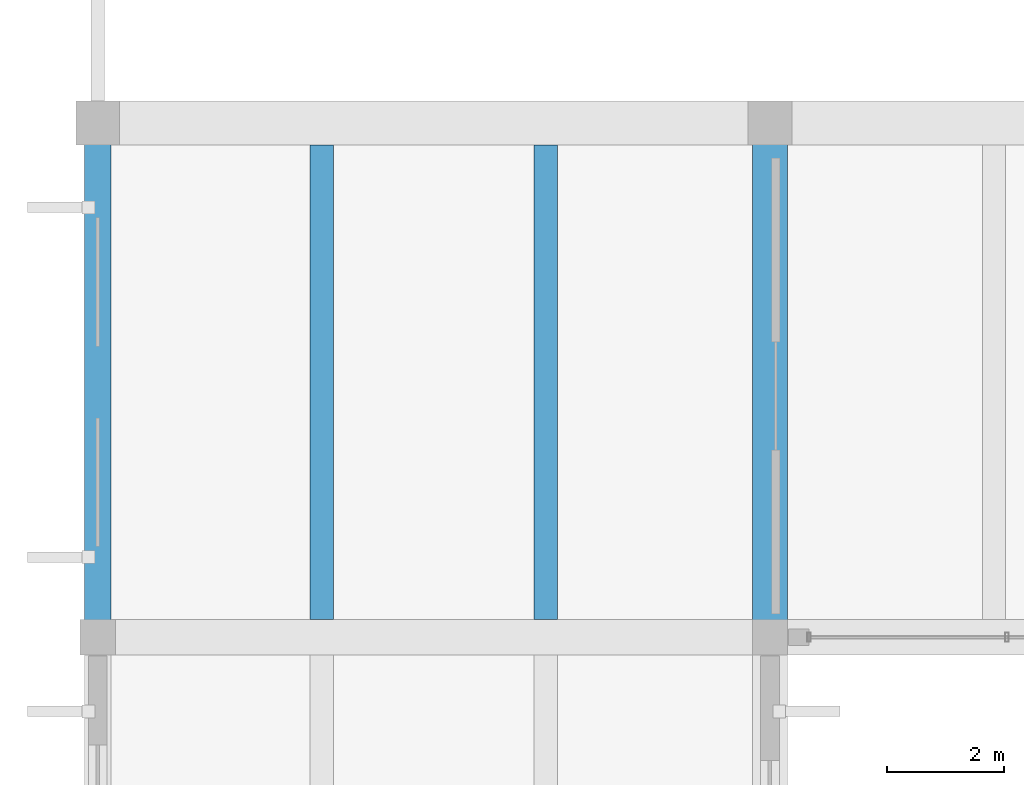
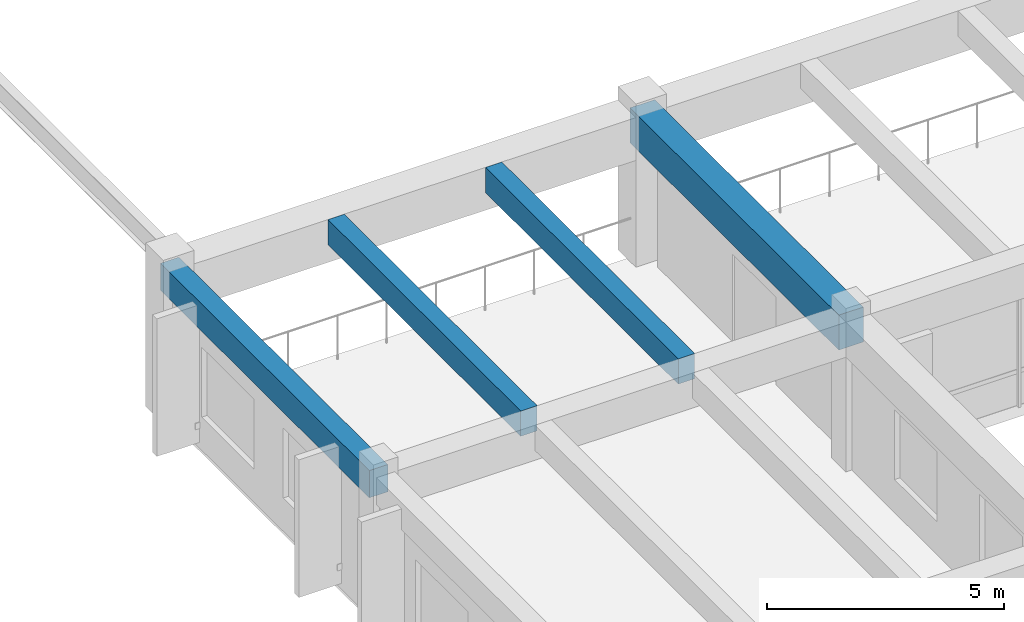
# One storey, part 5 of 98: 4 beams.
"""IFC4 building model written with IfcOpenShell, lengths in metres."""

from ifc_helpers import new_model, si_unit, direction, frame, origin, origin_2d, place, context, subcontext, project, spatial, rectangle, extrude, material, material_profile, profile_set, type_object, element, save


model = new_model("IFC4")

# Units and contexts
model_context = context("Model", 3, precision=1e-05, world=origin(), true_north=direction((0.0, 1.0)))
body_context = subcontext(model_context, "Body", "Model", "MODEL_VIEW")
ifc_project = project(units=[si_unit("LENGTHUNIT", "METRE"), si_unit("AREAUNIT", "SQUARE_METRE"), si_unit("VOLUMEUNIT", "CUBIC_METRE"), si_unit("PLANEANGLEUNIT", "RADIAN"), si_unit("MASSUNIT", "GRAM", prefix="KILO")], contexts=[model_context])

# Site, building, storey
site_placement = place(None, origin())
site = spatial("IfcSite", under=ifc_project, at=site_placement, CompositionType="ELEMENT")
building_placement = place(site_placement, origin())
building = spatial("IfcBuilding", under=site, at=building_placement, Name="Ologun Quay Terminus", CompositionType="ELEMENT")
storey_placement = place(building_placement, frame((0.0, 0.0, 4.199951171875)))
storey = spatial("IfcBuildingStorey", under=building, at=storey_placement, Name="L01", CompositionType="ELEMENT", Elevation=4.199951171875)

# Beams
ifc_material_1 = material(Name="Concrete C40/50", Category="concrete")
ifc_material_profile_1 = material_profile(ifc_material_1, rectangle(XDim=0.449951171875, YDim=0.699951171875, at=origin_2d()), Name="RC 450x700")
ifc_profile_set_1 = profile_set([ifc_material_profile_1], Name="Concrete C40/50")
beam_type_1 = type_object("IfcBeamType", Name="Perimeter Spandrel Beam 450x700", PredefinedType="SPANDREL", material=ifc_profile_set_1)
beam_1_placement = place(storey_placement, frame((0.0, 27.199951171875, 3.5), z_axis=(0.0, 1.0, 0.0), x_axis=(-1.0, 0.0, 0.0)))
element("IfcBeam", 1, at=beam_1_placement, inside=storey, type_object=beam_type_1, Name="SP1 Beam 1/D L01", PredefinedType="SPANDREL", context=body_context, shape_type="SweptSolid", body=[
    extrude(rectangle(XDim=0.449951171875, YDim=0.699951171875, at=origin_2d()), origin(), (0.0, 0.0, 1.0), 8.800048828125),
])
ifc_material_2 = material(Name="Concrete C40/50", Category="concrete")
ifc_material_profile_2 = material_profile(ifc_material_2, rectangle(XDim=0.60009765625, YDim=0.89990234375, at=origin_2d()), Name="RC 600x900")
ifc_profile_set_2 = profile_set([ifc_material_profile_2], Name="Concrete C40/50")
beam_type_2 = type_object("IfcBeamType", Name="Station Frame Girder 600x900", PredefinedType="BEAM", material=ifc_profile_set_2)
beam_2_placement = place(storey_placement, frame((11.5, 27.199951171875, 3.400146484375), z_axis=(0.0, 1.0, 0.0), x_axis=(-1.0, 0.0, 0.0)))
element("IfcBeam", 2, at=beam_2_placement, inside=storey, type_object=beam_type_2, Name="B3 Beam 2/D L01", PredefinedType="BEAM", context=body_context, shape_type="SweptSolid", body=[
    extrude(rectangle(XDim=0.60009765625, YDim=0.89990234375, at=origin_2d()), origin(), (0.0, 0.0, 1.0), 8.800048828125),
])
ifc_material_3 = material(Name="Concrete C40/50", Category="concrete")
ifc_material_profile_3 = material_profile(ifc_material_3, rectangle(XDim=0.39990234375, YDim=0.64990234375, at=origin_2d()), Name="RC 400x650")
ifc_profile_set_3 = profile_set([ifc_material_profile_3], Name="Concrete C40/50")
beam_type_3 = type_object("IfcBeamType", Name="Station Secondary Joist 400x650", PredefinedType="JOIST", material=ifc_profile_set_3)
for number, where, z_axis, x_axis, name in (
    (3, (3.833251953125, 27.5, 3.525146484375), (0.0, 1.0, 0.0), (-1.0, 0.0, 0.0), "J1 Beam 1/D L01"),
    (4, (7.666748046875, 27.5, 3.525146484375), (0.0, 1.0, 0.0), (-1.0, 0.0, 0.0), "J1 Beam 1/D L01"),
):
    element("IfcBeam", number, at=place(storey_placement, frame(where, z_axis=z_axis, x_axis=x_axis)), inside=storey, type_object=beam_type_3, Name=name, PredefinedType="JOIST", context=body_context, shape_type="SweptSolid", body=[
        extrude(rectangle(XDim=0.39990234375, YDim=0.64990234375, at=origin_2d()), origin(), (0.0, 0.0, 1.0), 8.125),
    ])

save(model, "model.ifc")
